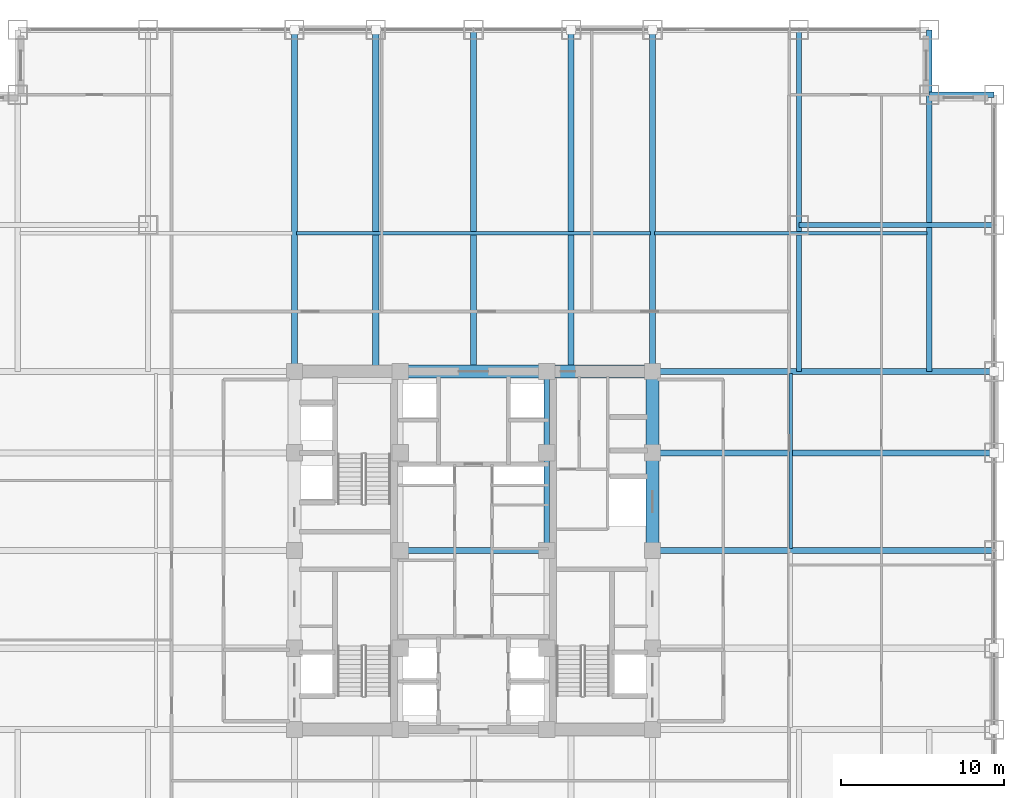
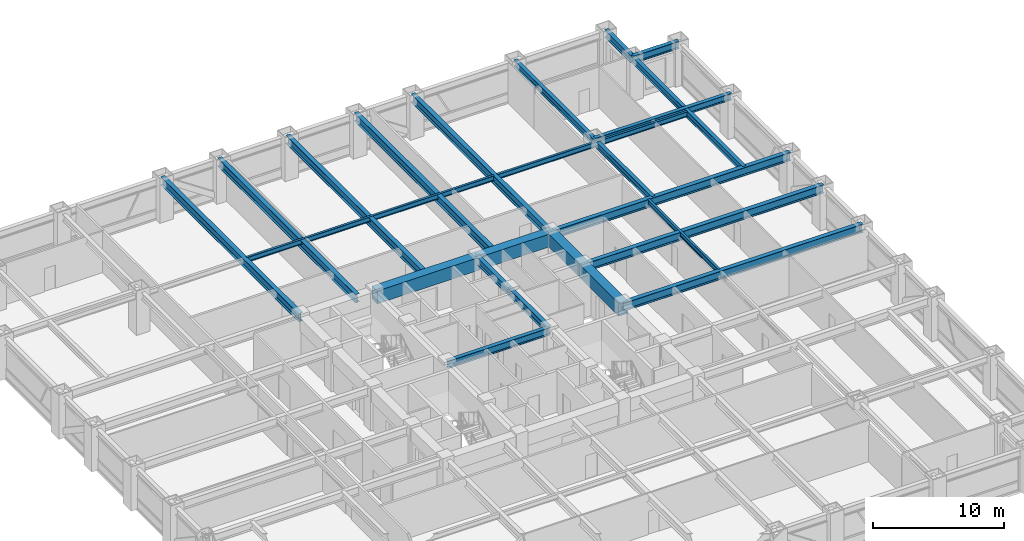
# One storey, part 11 of 28: 23 beams.
"""IFC4 building model written with IfcOpenShell, lengths in metres."""

import ifcopenshell
import ifcopenshell.guid

model = None  # the IFC model being written
_history = None  # IfcOwnerHistory: only IFC2X3 demands one
_inside = {}  # id of a spatial element -> (the spatial element, [elements in it])
_under = {}  # id of a project, library or spatial element -> (it, [spatial elements below it])
_declared = {}  # id of a project -> (the project, [libraries it declares])
_typed = {}  # id of a type object -> (the type object, [elements of that type])
_made_of = {}  # id of a material, layer set ... -> (it, [elements and type objects made of it])


def new_model(schema):
    """Start an empty IFC model of exactly this schema.

    Asked for "IFC4X3", IfcOpenShell would pick the latest addendum, in which some entities
    have other attributes; the version numbers below select the first issue.
    IFC2X3 requires an IfcOwnerHistory on every rooted entity: one is made here for all.
    """
    global model, _history
    if schema == "IFC4X3":
        model = ifcopenshell.file(schema_version=(4, 3, 0, 0))
    else:
        model = ifcopenshell.file(schema=schema)
    _inside.clear()
    _under.clear()
    _declared.clear()
    _typed.clear()
    _made_of.clear()
    _history = None
    if model.schema == "IFC2X3":
        org = make("IfcOrganization", Name="unknown")
        user = make(
            "IfcPersonAndOrganization",
            ThePerson=make("IfcPerson", FamilyName="unknown"),
            TheOrganization=org,
        )
        app = make(
            "IfcApplication",
            ApplicationDeveloper=org,
            Version="unknown",
            ApplicationFullName="unknown",
            ApplicationIdentifier="unknown",
        )
        _history = make(
            "IfcOwnerHistory",
            OwningUser=user,
            OwningApplication=app,
            ChangeAction="ADDED",
            CreationDate=0,
        )
    return model


def make(cls, **values):
    """One entity of the class cls with the attributes given. An attribute that is None is left unset."""
    return model.create_entity(
        cls, **{name: value for name, value in values.items() if value is not None}
    )


def rooted(cls, **values):
    """An entity with a GlobalId (a new one), such as an element, a storey or a relation."""
    return make(cls, GlobalId=ifcopenshell.guid.new(), OwnerHistory=_history, **values)


def si_unit(unit_type, name, prefix=None):
    """IfcSIUnit, for example si_unit("LENGTHUNIT", "METRE", prefix="MILLI")."""
    return make("IfcSIUnit", UnitType=unit_type, Prefix=prefix, Name=name)


def assignment(units):
    """IfcUnitAssignment: the units of a project."""
    return None if units is None else make("IfcUnitAssignment", Units=units)


def point(xyz):
    """IfcCartesianPoint."""
    return None if xyz is None else make("IfcCartesianPoint", Coordinates=xyz)


def direction(xyz):
    """IfcDirection."""
    return None if xyz is None else make("IfcDirection", DirectionRatios=xyz)


def frame(location, z_axis=None, x_axis=None):
    """IfcAxis2Placement3D, a coordinate frame: its origin and axes. An axis left out is left unset."""
    return make(
        "IfcAxis2Placement3D",
        Location=point(location),
        Axis=direction(z_axis),
        RefDirection=direction(x_axis),
    )


def frame_2d(location, x_axis=None):
    """IfcAxis2Placement2D, a coordinate frame in the plane: its origin and x axis."""
    return make(
        "IfcAxis2Placement2D", Location=point(location), RefDirection=direction(x_axis)
    )


def origin():
    """The frame at (0, 0, 0) with its axes left unset."""
    return frame((0.0, 0.0, 0.0))


def origin_2d():
    """The frame at (0, 0) in the plane with its x axis left unset."""
    return frame_2d((0.0, 0.0))


def place(relative_to, where):
    """IfcLocalPlacement: puts the frame where relative to a parent placement (None: the world)."""
    return make(
        "IfcLocalPlacement", PlacementRelTo=relative_to, RelativePlacement=where
    )


def context(
    kind, dimensions, precision=None, world=None, true_north=None, identifier=None
):
    """IfcGeometricRepresentationContext, for example the 3D "Model" context."""
    return make(
        "IfcGeometricRepresentationContext",
        ContextIdentifier=identifier,
        ContextType=kind,
        CoordinateSpaceDimension=dimensions,
        Precision=precision,
        WorldCoordinateSystem=world,
        TrueNorth=true_north,
    )


def subcontext(parent, identifier, kind, view, scale=None):
    """IfcGeometricRepresentationSubContext, for example "Body" below "Model"."""
    return make(
        "IfcGeometricRepresentationSubContext",
        ContextIdentifier=identifier,
        ContextType=kind,
        ParentContext=parent,
        TargetScale=scale,
        TargetView=view,
    )


def project(units=None, contexts=None):
    """IfcProject with its units and contexts."""
    return rooted(
        "IfcProject",
        Name="project",
        RepresentationContexts=contexts,
        UnitsInContext=assignment(units),
    )


def spatial(cls, under=None, at=None, **own):
    """A site, building, storey or space (cls), placed at a placement, below another one or the project."""
    s = rooted(cls, ObjectPlacement=at, **own)
    if under is not None:
        _under.setdefault(under.id(), (under, []))[1].append(s)
    return s


def profile(cls, at=None, kind="AREA", **sizes):
    """A parametric profile (cls). Its sizes go by their IFC names, for example OverallWidth=200.0."""
    return make(cls, ProfileType=kind, Position=at, **sizes)


def rectangle(**sizes):
    """IfcRectangleProfileDef."""
    return profile("IfcRectangleProfileDef", **sizes)


def i_section(**sizes):
    """IfcIShapeProfileDef."""
    return profile("IfcIShapeProfileDef", **sizes)


def extrude(swept, where, along, depth):
    """IfcExtrudedAreaSolid: the profile swept, set in the frame where, extruded along a direction by depth."""
    return make(
        "IfcExtrudedAreaSolid",
        SweptArea=swept,
        Position=where,
        ExtrudedDirection=direction(along),
        Depth=depth,
    )


def shape(context_of_items, identifier, shape_type, items):
    """IfcShapeRepresentation: the items that make up one representation, for example the "Body"."""
    return make(
        "IfcShapeRepresentation",
        ContextOfItems=context_of_items,
        RepresentationIdentifier=identifier,
        RepresentationType=shape_type,
        Items=items,
    )


def source(mapping_origin, context_of_items, identifier, shape_type, items):
    """IfcRepresentationMap: a shape defined once, which mapped items show again and again."""
    return make(
        "IfcRepresentationMap",
        MappingOrigin=mapping_origin,
        MappedRepresentation=shape(context_of_items, identifier, shape_type, items),
    )


def transform(
    local_origin,
    x_axis=None,
    y_axis=None,
    z_axis=None,
    scale=None,
    scale2=None,
    scale3=None,
    uniform=True,
):
    """IfcCartesianTransformationOperator3D, or its non-uniform kind. x_axis, y_axis, z_axis: its Axis1, 2, 3."""
    if uniform:
        return make(
            "IfcCartesianTransformationOperator3D",
            Axis1=direction(x_axis),
            Axis2=direction(y_axis),
            LocalOrigin=point(local_origin),
            Scale=scale,
            Axis3=direction(z_axis),
        )
    return make(
        "IfcCartesianTransformationOperator3DnonUniform",
        Axis1=direction(x_axis),
        Axis2=direction(y_axis),
        LocalOrigin=point(local_origin),
        Scale=scale,
        Axis3=direction(z_axis),
        Scale2=scale2,
        Scale3=scale3,
    )


def mapped(mapping_source, mapping_target):
    """IfcMappedItem: shows the shape of a source again, moved by a transform."""
    return make(
        "IfcMappedItem", MappingSource=mapping_source, MappingTarget=mapping_target
    )


def material(Name=None, Category=None):
    """IfcMaterial."""
    return make("IfcMaterial", Name=Name, Category=Category)


def material_profile(
    of_material, cross_section, Name=None, Category=None, Priority=None
):
    """IfcMaterialProfile: a cross section and its material."""
    return make(
        "IfcMaterialProfile",
        Name=Name,
        Material=of_material,
        Profile=cross_section,
        Priority=Priority,
        Category=Category,
    )


def profile_set(profiles, Name=None, composite=None):
    """IfcMaterialProfileSet."""
    return make(
        "IfcMaterialProfileSet",
        Name=Name,
        MaterialProfiles=profiles,
        CompositeProfile=composite,
    )


def made_of(thing, what):
    """Note that an element or type object is made of a material, layer set ...; save() writes the relation."""
    if what is not None:
        _made_of.setdefault(what.id(), (what, []))[1].append(thing)
    return thing


def type_object(cls, material=None, **own):
    """A type object (cls), such as IfcWallType, which elements share."""
    return made_of(rooted(cls, **own), material)


def element(
    cls,
    number,
    at=None,
    inside=None,
    cuts=None,
    type_object=None,
    material=None,
    context=None,
    identifier="Body",
    shape_type=None,
    held_by="IfcProductDefinitionShape",
    body=None,
    shapes=None,
    **own,
):
    """One element of the class cls, such as IfcWall. Its Tag is "e" and its number.

    at: its placement. inside: the storey or other place that contains it. cuts: it is an
    opening in that element (IfcRelVoidsElement). A single representation is given by context,
    identifier, shape_type and body (its items); several are given by shapes. held_by: the class
    of the entity that holds the representations. save() writes the other relations.
    """
    e = rooted(cls, Tag="e%d" % number, ObjectPlacement=at, **own)
    if body is not None:
        shapes = [shape(context, identifier, shape_type, body)]
    if shapes is not None:
        e.Representation = make(held_by, Representations=shapes)
    if inside is not None:
        _inside.setdefault(inside.id(), (inside, []))[1].append(e)
    if cuts is not None:
        rooted(
            "IfcRelVoidsElement", RelatingBuildingElement=cuts, RelatedOpeningElement=e
        )
    if type_object is not None:
        _typed.setdefault(type_object.id(), (type_object, []))[1].append(e)
    return made_of(e, material)


def aggregate(whole, parts):
    """IfcRelAggregates: a whole, such as a stair, and the parts it consists of."""
    return rooted("IfcRelAggregates", RelatingObject=whole, RelatedObjects=parts)


def save(model, path):
    """Write the relations noted so far, then the file.

    IfcRelAggregates (storeys below a building ...), IfcRelContainedInSpatialStructure (elements
    in a storey), IfcRelDefinesByType, IfcRelAssociatesMaterial and IfcRelDeclares: one each for
    every whole, place, type object, material and project.
    """
    for whole, parts in _under.values():
        aggregate(whole, parts)
    for where, things in _inside.values():
        rooted(
            "IfcRelContainedInSpatialStructure",
            RelatedElements=things,
            RelatingStructure=where,
        )
    for kind, things in _typed.values():
        rooted("IfcRelDefinesByType", RelatedObjects=things, RelatingType=kind)
    for what, things in _made_of.values():
        rooted("IfcRelAssociatesMaterial", RelatedObjects=things, RelatingMaterial=what)
    for by, libraries in _declared.values():
        rooted("IfcRelDeclares", RelatingContext=by, RelatedDefinitions=libraries)
    model.write(path)


model = new_model("IFC4")

# Units and contexts
model_context = context("Model", 3, precision=1e-05, world=origin(), true_north=direction((0.0, 1.0)))
body_context = subcontext(model_context, "Body", "Model", "MODEL_VIEW")
ifc_project = project(units=[si_unit("LENGTHUNIT", "METRE"), si_unit("AREAUNIT", "SQUARE_METRE"), si_unit("VOLUMEUNIT", "CUBIC_METRE"), si_unit("PLANEANGLEUNIT", "RADIAN"), si_unit("MASSUNIT", "GRAM", prefix="KILO")], contexts=[model_context])

# Site, building, storey
site_placement = place(None, origin())
site = spatial("IfcSite", under=ifc_project, at=site_placement, CompositionType="ELEMENT")
building_placement = place(site_placement, origin())
building = spatial("IfcBuilding", under=site, at=building_placement, Name="Khorayat Bourse Tower", CompositionType="ELEMENT")
storey_placement = place(building_placement, frame((0.0, 0.0, 120.10009765625)))
storey = spatial("IfcBuildingStorey", under=building, at=storey_placement, Name="L27", CompositionType="ELEMENT", Elevation=120.10009765625)

# Beams
ifc_material_1 = material(Name="Concrete C72/90", Category="concrete")
ifc_material_profile_1 = material_profile(ifc_material_1, rectangle(XDim=0.800048828125, YDim=1.199951171875, at=origin_2d()), Name="RC 800x1200")
ifc_profile_set_1 = profile_set([ifc_material_profile_1], Name="Concrete C72/90")
beam_type_1 = type_object("IfcBeamType", Name="BM-COUP-1200", PredefinedType="BEAM", material=ifc_profile_set_1)
shared_shape_1 = source(origin(), body_context, "Body", "SweptSolid", [
    extrude(rectangle(XDim=0.800048828125, YDim=1.199951171875, at=origin_2d()), origin(), (0.0, 0.0, 1.0), 5.0),
])
beam_1_placement = place(storey_placement, frame((11.0, 6.0, 3.239990234375), z_axis=(0.0, 1.0, 0.0), x_axis=(-1.0, 0.0, 0.0)))
element("IfcBeam", 1, at=beam_1_placement, inside=storey, type_object=beam_type_1, Name="L27 BM-COUP-1200 BM-L27-CRX-16", PredefinedType="BEAM", context=body_context, shape_type="MappedRepresentation", body=[
    mapped(shared_shape_1, transform((0.0, 0.0, 0.0), scale=1.0)),
])
shared_shape_2 = source(origin(), body_context, "Body", "SweptSolid", [
    extrude(rectangle(XDim=0.800048828125, YDim=1.199951171875, at=origin_2d()), origin(), (0.0, 0.0, 1.0), 6.0),
])
beam_2_placement = place(storey_placement, frame((11.0, 0.0, 3.239990234375), z_axis=(0.0, 1.0, 0.0), x_axis=(-1.0, 0.0, 0.0)))
element("IfcBeam", 2, at=beam_2_placement, inside=storey, type_object=beam_type_1, Name="L27 BM-COUP-1200 BM-L27-CRX-15", PredefinedType="BEAM", context=body_context, shape_type="MappedRepresentation", body=[
    mapped(shared_shape_2, transform((0.0, 0.0, 0.0), scale=1.0)),
])
ifc_material_2 = material(Name="Steel ASTM A992 Grade 50", Category="steel")
ifc_material_profile_2 = material_profile(ifc_material_2, i_section(OverallWidth=0.35498046875, OverallDepth=0.695068359375, WebThickness=0.015380859375, FlangeThickness=0.02490234375, FilletRadius=0.01806640625, at=origin_2d()), Name="W690X217")
ifc_profile_set_2 = profile_set([ifc_material_profile_2], Name="Steel ASTM A992 Grade 50")
beam_type_2 = type_object("IfcBeamType", Name="BM-GIRD-690", PredefinedType="BEAM", material=ifc_profile_set_2)
shared_shape_3 = source(origin(), body_context, "Body", "SweptSolid", [
    extrude(i_section(OverallWidth=0.35498046875, OverallDepth=0.695068359375, WebThickness=0.015380859375, FlangeThickness=0.02490234375, FilletRadius=0.01806640625, at=origin_2d()), origin(), (0.0, 0.0, 1.0), 5.0),
])
beam_3_placement = place(storey_placement, frame((4.5, 6.0, 3.492431640625), z_axis=(0.0, 1.0, 0.0), x_axis=(-1.0, 0.0, 0.0)))
element("IfcBeam", 3, at=beam_3_placement, inside=storey, type_object=beam_type_2, Name="L27 BM-GIRD-690 BM-L27-CRX-12", PredefinedType="BEAM", context=body_context, shape_type="MappedRepresentation", body=[
    mapped(shared_shape_3, transform((0.0, 0.0, 0.0), scale=1.0)),
])
shared_shape_4 = source(origin(), body_context, "Body", "SweptSolid", [
    extrude(i_section(OverallWidth=0.35498046875, OverallDepth=0.695068359375, WebThickness=0.015380859375, FlangeThickness=0.02490234375, FilletRadius=0.01806640625, at=origin_2d()), origin(), (0.0, 0.0, 1.0), 6.0),
])
beam_4_placement = place(storey_placement, frame((4.5, 0.0, 3.492431640625), z_axis=(0.0, 1.0, 0.0), x_axis=(-1.0, 0.0, 0.0)))
element("IfcBeam", 4, at=beam_4_placement, inside=storey, type_object=beam_type_2, Name="L27 BM-GIRD-690 BM-L27-CRX-11", PredefinedType="BEAM", context=body_context, shape_type="MappedRepresentation", body=[
    mapped(shared_shape_4, transform((0.0, 0.0, 0.0), scale=1.0)),
])
shared_shape_5 = source(origin(), body_context, "Body", "SweptSolid", [
    extrude(rectangle(XDim=0.800048828125, YDim=1.199951171875, at=origin_2d()), origin(), (0.0, 0.0, 1.0), 6.5),
])
beam_5_placement = place(storey_placement, frame((4.5, 11.0, 3.239990234375), z_axis=(1.0, 0.0, 0.0), x_axis=(0.0, 1.0, 0.0)))
element("IfcBeam", 5, at=beam_5_placement, inside=storey, type_object=beam_type_1, Name="L27 BM-COUP-1200 BM-L27-CRY-22", PredefinedType="BEAM", context=body_context, shape_type="MappedRepresentation", body=[
    mapped(shared_shape_5, transform((0.0, 0.0, 0.0), scale=1.0)),
])
shared_shape_6 = source(origin(), body_context, "Body", "SweptSolid", [
    extrude(rectangle(XDim=0.800048828125, YDim=1.199951171875, at=origin_2d()), origin(), (0.0, 0.0, 1.0), 9.0),
])
beam_6_placement = place(storey_placement, frame((-4.5, 11.0, 3.239990234375), z_axis=(1.0, 0.0, 0.0), x_axis=(0.0, 1.0, 0.0)))
element("IfcBeam", 6, at=beam_6_placement, inside=storey, type_object=beam_type_1, Name="L27 BM-COUP-1200 BM-L27-CRY-21", PredefinedType="BEAM", context=body_context, shape_type="MappedRepresentation", body=[
    mapped(shared_shape_6, transform((0.0, 0.0, 0.0), scale=1.0)),
])
shared_shape_7 = source(origin(), body_context, "Body", "SweptSolid", [
    extrude(i_section(OverallWidth=0.35498046875, OverallDepth=0.695068359375, WebThickness=0.015380859375, FlangeThickness=0.02490234375, FilletRadius=0.01806640625, at=origin_2d()), origin(), (0.0, 0.0, 1.0), 9.0),
])
beam_7_placement = place(storey_placement, frame((-4.5, 0.0, 3.492431640625), z_axis=(1.0, 0.0, 0.0), x_axis=(0.0, 1.0, 0.0)))
element("IfcBeam", 7, at=beam_7_placement, inside=storey, type_object=beam_type_2, Name="L27 BM-GIRD-690 BM-L27-CRY-23", PredefinedType="BEAM", context=body_context, shape_type="MappedRepresentation", body=[
    mapped(shared_shape_7, transform((0.0, 0.0, 0.0), scale=1.0)),
])
ifc_material_profile_3 = material_profile(ifc_material_2, i_section(OverallWidth=0.324951171875, OverallDepth=0.615966796875, WebThickness=0.013916015625, FlangeThickness=0.021484375, FilletRadius=0.01611328125, at=origin_2d()), Name="W610X174")
ifc_profile_set_3 = profile_set([ifc_material_profile_3], Name="Steel ASTM A992 Grade 50")
beam_type_3 = type_object("IfcBeamType", Name="BM-GIRD-610", PredefinedType="BEAM", material=ifc_profile_set_3)
shared_shape_8 = source(origin(), body_context, "Body", "SweptSolid", [
    extrude(i_section(OverallWidth=0.324951171875, OverallDepth=0.615966796875, WebThickness=0.013916015625, FlangeThickness=0.021484375, FilletRadius=0.01611328125, at=origin_2d()), origin(), (0.0, 0.0, 1.0), 21.0),
])
beam_8_placement = place(storey_placement, frame((20.0, 11.0, 3.531982421875), z_axis=(0.0, 1.0, 0.0), x_axis=(-1.0, 0.0, 0.0)))
element("IfcBeam", 8, at=beam_8_placement, inside=storey, type_object=beam_type_3, Name="L27 BM-GIRD-610 BM-L27-CNRY-087", PredefinedType="BEAM", context=body_context, shape_type="MappedRepresentation", body=[
    mapped(shared_shape_8, transform((0.0, 0.0, 0.0), scale=1.0)),
])
shared_shape_9 = source(origin(), body_context, "Body", "SweptSolid", [
    extrude(i_section(OverallWidth=0.324951171875, OverallDepth=0.615966796875, WebThickness=0.013916015625, FlangeThickness=0.021484375, FilletRadius=0.01611328125, at=origin_2d()), origin(), (0.0, 0.0, 1.0), 12.0),
])
beam_9_placement = place(storey_placement, frame((20.0, 20.0, 3.531982421875), z_axis=(1.0, 0.0, 0.0), x_axis=(0.0, 1.0, 0.0)))
element("IfcBeam", 9, at=beam_9_placement, inside=storey, type_object=beam_type_3, Name="L27 BM-GIRD-610 BM-L27-CNRX-094", PredefinedType="BEAM", context=body_context, shape_type="MappedRepresentation", body=[
    mapped(shared_shape_9, transform((0.0, 0.0, 0.0), scale=1.0)),
])
ifc_material_profile_4 = material_profile(ifc_material_2, i_section(OverallWidth=0.194091796875, OverallDepth=0.468994140625, WebThickness=0.0126953125, FlangeThickness=0.0205078125, FilletRadius=0.012939453125, at=origin_2d()), Name="W460X106")
ifc_profile_set_4 = profile_set([ifc_material_profile_4], Name="Steel ASTM A992 Grade 50")
beam_type_4 = type_object("IfcBeamType", Name="BM-JOIST-460", PredefinedType="JOIST", material=ifc_profile_set_4)
shared_shape_10 = source(origin(), body_context, "Body", "SweptSolid", [
    extrude(i_section(OverallWidth=0.194091796875, OverallDepth=0.468994140625, WebThickness=0.0126953125, FlangeThickness=0.0205078125, FilletRadius=0.012939453125, at=origin_2d()), origin(), (0.0, 0.0, 1.0), 21.740234375),
])
beam_10_placement = place(storey_placement, frame((-10.8701171875, 19.5, 3.60546875), z_axis=(1.0, 0.0, 0.0), x_axis=(0.0, 1.0, 0.0)))
element("IfcBeam", 10, at=beam_10_placement, inside=storey, type_object=beam_type_4, Name="L27 BM-JOIST-460 BM-L27-JSTX-100", PredefinedType="JOIST", context=body_context, shape_type="MappedRepresentation", body=[
    mapped(shared_shape_10, transform((0.0, 0.0, 0.0), scale=1.0)),
])
shared_shape_11 = source(origin(), body_context, "Body", "SweptSolid", [
    extrude(i_section(OverallWidth=0.194091796875, OverallDepth=0.468994140625, WebThickness=0.0126953125, FlangeThickness=0.0205078125, FilletRadius=0.012939453125, at=origin_2d()), origin(), (0.0, 0.0, 1.0), 10.740234375),
])
beam_11_placement = place(storey_placement, frame((19.5, 0.1298828125, 3.60546875), z_axis=(0.0, 1.0, 0.0), x_axis=(-1.0, 0.0, 0.0)))
element("IfcBeam", 11, at=beam_11_placement, inside=storey, type_object=beam_type_4, Name="L27 BM-JOIST-460 BM-L27-JSTY-105", PredefinedType="JOIST", context=body_context, shape_type="MappedRepresentation", body=[
    mapped(shared_shape_11, transform((0.0, 0.0, 0.0), scale=1.0)),
])
ifc_material_profile_5 = material_profile(ifc_material_2, i_section(OverallWidth=0.35498046875, OverallDepth=0.695068359375, WebThickness=0.015380859375, FlangeThickness=0.02490234375, FilletRadius=0.01806640625, at=origin_2d()), Name="W690X217")
ifc_profile_set_5 = profile_set([ifc_material_profile_5], Name="Steel ASTM A992 Grade 50")
beam_type_5 = type_object("IfcBeamType", Name="BM-SPAN-690", PredefinedType="SPANDREL", material=ifc_profile_set_5)
shared_shape_12 = source(origin(), body_context, "Body", "SweptSolid", [
    extrude(i_section(OverallWidth=0.35498046875, OverallDepth=0.695068359375, WebThickness=0.015380859375, FlangeThickness=0.02490234375, FilletRadius=0.01806640625, at=origin_2d()), origin(), (0.0, 0.0, 1.0), 4.0),
])
for number, where, z_axis, x_axis, name in (
    (12, (28.0, 28.0, 3.492431640625), (1.0, 0.0, 0.0), (0.0, 1.0, 0.0), "L27 BM-SPAN-690 BM-L27-SPN-042"),
    (13, (28.0, 28.0, 3.492431640625), (0.0, 1.0, 0.0), (-1.0, 0.0, 0.0), "L27 BM-SPAN-690 BM-L27-SPN-043"),
):
    element("IfcBeam", number, at=place(storey_placement, frame(where, z_axis=z_axis, x_axis=x_axis)), inside=storey, type_object=beam_type_5, Name=name, PredefinedType="SPANDREL", context=body_context, shape_type="MappedRepresentation", body=[
        mapped(shared_shape_12, transform((0.0, 0.0, 0.0), scale=1.0)),
    ])
ifc_material_profile_6 = material_profile(ifc_material_2, i_section(OverallWidth=0.381103515625, OverallDepth=0.77294921875, WebThickness=0.0166015625, FlangeThickness=0.027587890625, FilletRadius=0.01806640625, at=origin_2d()), Name="W760X257")
ifc_profile_set_6 = profile_set([ifc_material_profile_6], Name="Steel ASTM A992 Grade 50")
beam_type_6 = type_object("IfcBeamType", Name="BM-GIRD-760", PredefinedType="BEAM", material=ifc_profile_set_6)
shared_shape_13 = source(origin(), body_context, "Body", "SweptSolid", [
    extrude(i_section(OverallWidth=0.381103515625, OverallDepth=0.77294921875, WebThickness=0.0166015625, FlangeThickness=0.027587890625, FilletRadius=0.01806640625, at=origin_2d()), origin(), (0.0, 0.0, 1.0), 21.0),
])
for number, where, z_axis, x_axis, name in (
    (14, (-11.0, 11.0, 3.453369140625), (0.0, 1.0, 0.0), (-1.0, 0.0, 0.0), "L27 BM-GIRD-760 BM-L27-RADY-064"),
    (15, (-6.0, 11.0, 3.453369140625), (0.0, 1.0, 0.0), (-1.0, 0.0, 0.0), "L27 BM-GIRD-760 BM-L27-RADY-066"),
    (16, (0.0, 11.0, 3.453369140625), (0.0, 1.0, 0.0), (-1.0, 0.0, 0.0), "L27 BM-GIRD-760 BM-L27-RADY-068"),
    (17, (6.0, 11.0, 3.453369140625), (0.0, 1.0, 0.0), (-1.0, 0.0, 0.0), "L27 BM-GIRD-760 BM-L27-RADY-070"),
    (18, (11.0, 11.0, 3.453369140625), (0.0, 1.0, 0.0), (-1.0, 0.0, 0.0), "L27 BM-GIRD-760 BM-L27-RADY-072"),
    (19, (11.0, 0.0, 3.453369140625), (1.0, 0.0, 0.0), (0.0, 1.0, 0.0), "L27 BM-GIRD-760 BM-L27-RADX-078"),
    (20, (11.0, 6.0, 3.453369140625), (1.0, 0.0, 0.0), (0.0, 1.0, 0.0), "L27 BM-GIRD-760 BM-L27-RADX-080"),
    (21, (11.0, 11.0, 3.453369140625), (1.0, 0.0, 0.0), (0.0, 1.0, 0.0), "L27 BM-GIRD-760 BM-L27-RADX-082"),
):
    element("IfcBeam", number, at=place(storey_placement, frame(where, z_axis=z_axis, x_axis=x_axis)), inside=storey, type_object=beam_type_6, Name=name, PredefinedType="BEAM", context=body_context, shape_type="MappedRepresentation", body=[
        mapped(shared_shape_13, transform((0.0, 0.0, 0.0), scale=1.0)),
    ])
shared_shape_14 = source(origin(), body_context, "Body", "SweptSolid", [
    extrude(i_section(OverallWidth=0.324951171875, OverallDepth=0.615966796875, WebThickness=0.013916015625, FlangeThickness=0.021484375, FilletRadius=0.01611328125, at=origin_2d()), origin(), (0.0, 0.0, 1.0), 17.0),
])
beam_12_placement = place(storey_placement, frame((28.0, 11.0, 3.531982421875), z_axis=(0.0, 1.0, 0.0), x_axis=(-1.0, 0.0, 0.0)))
element("IfcBeam", 22, at=beam_12_placement, inside=storey, type_object=beam_type_3, Name="L27 BM-GIRD-610 BM-L27-CNRY-091", PredefinedType="BEAM", context=body_context, shape_type="MappedRepresentation", body=[
    mapped(shared_shape_14, transform((0.0, 0.0, 0.0), scale=1.0)),
])
shared_shape_15 = source(origin(), body_context, "Body", "SweptSolid", [
    extrude(i_section(OverallWidth=0.194091796875, OverallDepth=0.468994140625, WebThickness=0.0126953125, FlangeThickness=0.0205078125, FilletRadius=0.012939453125, at=origin_2d()), origin(), (0.0, 0.0, 1.0), 16.740234375),
])
beam_13_placement = place(storey_placement, frame((11.1298828125, 19.5, 3.60546875), z_axis=(1.0, 0.0, 0.0), x_axis=(0.0, 1.0, 0.0)))
element("IfcBeam", 23, at=beam_13_placement, inside=storey, type_object=beam_type_4, Name="L27 BM-JOIST-460 BM-L27-JSTX-101", PredefinedType="JOIST", context=body_context, shape_type="MappedRepresentation", body=[
    mapped(shared_shape_15, transform((0.0, 0.0, 0.0), scale=1.0)),
])

save(model, "model.ifc")
